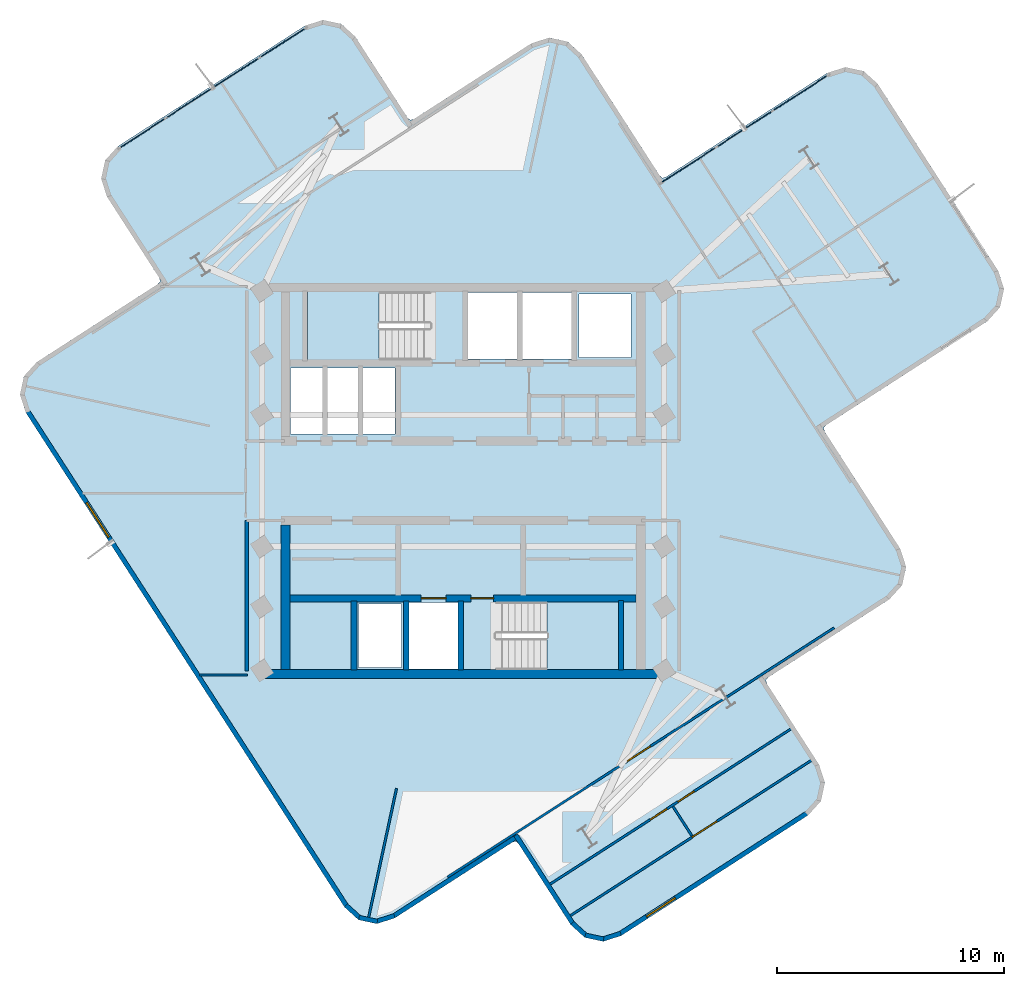
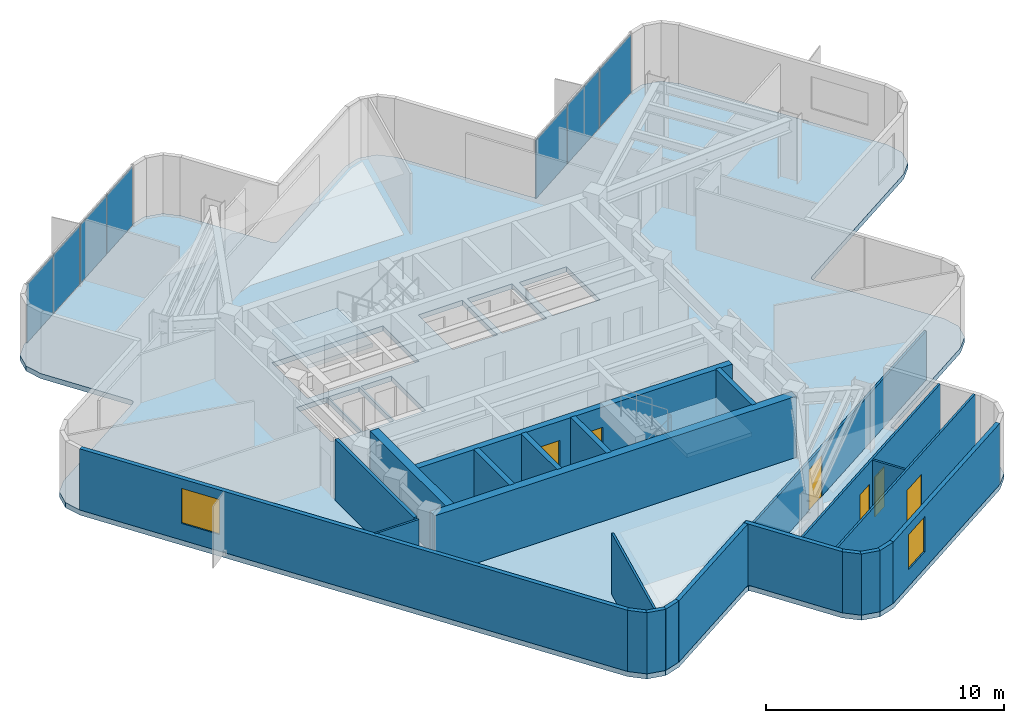
# One storey, part 3 of 8: 24 walls, 7 plates, 6 doors, 3 slabs, 2 windows, 8 openings, 4 elements without a shape of their own.
"""IFC4 building model written with IfcOpenShell, lengths in metres."""

from ifc_helpers import new_model, si_unit, direction, frame, frame_2d, origin, origin_2d, place, context, subcontext, project, spatial, polyline, rectangle, outline, extrude, material, layer, layer_set, type_object, element, fill, aggregate, save


model = new_model("IFC4")

# Units and contexts
model_context = context("Model", 3, precision=1e-05, world=origin(), true_north=direction((0.0, 1.0)))
body_context = subcontext(model_context, "Body", "Model", "MODEL_VIEW")
ifc_project = project(units=[si_unit("LENGTHUNIT", "METRE"), si_unit("AREAUNIT", "SQUARE_METRE"), si_unit("VOLUMEUNIT", "CUBIC_METRE"), si_unit("PLANEANGLEUNIT", "RADIAN"), si_unit("MASSUNIT", "GRAM", prefix="KILO")], contexts=[model_context])

# Site, building, storey
site_placement = place(None, origin())
site = spatial("IfcSite", under=ifc_project, at=site_placement, CompositionType="ELEMENT")
building_placement = place(site_placement, origin())
building = spatial("IfcBuilding", under=site, at=building_placement, Name="Solmarez Civic Tower", CompositionType="ELEMENT")
storey_placement = place(building_placement, frame((0.0, 0.0, 218.8798828125)))
storey = spatial("IfcBuildingStorey", under=building, at=storey_placement, Name="L58", CompositionType="ELEMENT", Elevation=218.8798828125)

# Curtain wall, plates
ifc_material_1 = material(Name="Bronze Anodised Aluminium EN AW-6063 T6", Category="aluminium")
ifc_layer_1 = layer(ifc_material_1, 0.1650390625)
ifc_layer_set_1 = layer_set([ifc_layer_1], Name="Bronze Anodised Aluminium EN AW-6063 T6")
curtain_wall_type = type_object("IfcCurtainWallType", Name="CW-SYS-4", PredefinedType="NOTDEFINED", material=ifc_layer_set_1)
curtain_wall_1_placement = place(storey_placement, origin())
curtain_wall_1 = element("IfcCurtainWall", 1, at=curtain_wall_1_placement, inside=storey, type_object=curtain_wall_type, Name="L58 Stick-Built Curtain Wall 1", PredefinedType="NOTDEFINED")
ifc_material_2 = material(Name="Solar Control Low-E Laminated Vision Glass", Category="glass")
ifc_layer_2 = layer(ifc_material_2, 0.0400390625)
ifc_layer_set_2 = layer_set([ifc_layer_2], Name="Solar Control Low-E Laminated Vision Glass")
plate_type = type_object("IfcPlateType", Name="CWP-GLAZ-40", PredefinedType="CURTAIN_PANEL", material=ifc_layer_set_2)
plate_1_placement = place(storey_placement, frame((-14.105224609375, 15.29833984375, 0.070068359375), z_axis=(0.0, 0.0, 1.0), x_axis=(0.840562795383, 0.541714119272, 0.0)))
plate_1 = element("IfcPlate", 2, at=plate_1_placement, type_object=plate_type, Name="CWS4 panel 1.1", PredefinedType="CURTAIN_PANEL", context=body_context, shape_type="SweptSolid", body=[
    extrude(rectangle(XDim=2.3662109375, YDim=0.0400390625, at=origin_2d()), origin(), (0.0, 0.0, 1.0), 3.0),
])
plate_2_placement = place(storey_placement, frame((-12.05322265625, 16.620849609375, 0.070068359375), z_axis=(0.0, 0.0, 1.0), x_axis=(0.840562795383, 0.541714119272, 0.0)))
plate_2 = element("IfcPlate", 3, at=plate_2_placement, type_object=plate_type, Name="CWS4 panel 2.1", PredefinedType="CURTAIN_PANEL", context=body_context, shape_type="SweptSolid", body=[
    extrude(rectangle(XDim=2.39599609375, YDim=0.0400390625, at=origin_2d()), origin(), (0.0, 0.0, 1.0), 3.0),
])
plate_3_placement = place(storey_placement, frame((-9.98876953125, 17.951171875, 0.070068359375), z_axis=(0.0, 0.0, 1.0), x_axis=(0.840562795383, 0.541714119272, 0.0)))
plate_3 = element("IfcPlate", 4, at=plate_3_placement, type_object=plate_type, Name="CWS4 panel 3.1", PredefinedType="CURTAIN_PANEL", context=body_context, shape_type="SweptSolid", body=[
    extrude(rectangle(XDim=2.39599609375, YDim=0.0400390625, at=origin_2d()), origin(), (0.0, 0.0, 1.0), 3.0),
])
plate_4_placement = place(storey_placement, frame((-7.936767578125, 19.273681640625, 0.070068359375), z_axis=(0.0, 0.0, 1.0), x_axis=(0.840562795383, 0.541714119272, 0.0)))
plate_4 = element("IfcPlate", 5, at=plate_4_placement, type_object=plate_type, Name="CWS4 panel 4.1", PredefinedType="CURTAIN_PANEL", context=body_context, shape_type="SweptSolid", body=[
    extrude(rectangle(XDim=2.3662109375, YDim=0.0400390625, at=origin_2d()), origin(), (0.0, 0.0, 1.0), 3.0),
])
aggregate(curtain_wall_1, [plate_1, plate_2, plate_3, plate_4])

curtain_wall_2_placement = place(storey_placement, origin())
curtain_wall_2 = element("IfcCurtainWall", 6, at=curtain_wall_2_placement, inside=storey, type_object=curtain_wall_type, Name="L58 Stick-Built Curtain Wall 2", PredefinedType="NOTDEFINED")
plate_5_placement = place(storey_placement, frame((9.917236328125, 13.886474609375, 0.070068359375), z_axis=(0.0, 0.0, 1.0), x_axis=(0.840545857406, 0.541740400559, 0.0)))
plate_5 = element("IfcPlate", 7, at=plate_5_placement, type_object=plate_type, Name="CWS4 panel 1.1", PredefinedType="CURTAIN_PANEL", context=body_context, shape_type="SweptSolid", body=[
    extrude(rectangle(XDim=2.857177734375, YDim=0.0400390625, at=origin_2d()), origin(), (0.0, 0.0, 1.0), 3.0),
])
plate_6_placement = place(storey_placement, frame((12.382080078125, 15.47509765625, 0.070068359375), z_axis=(0.0, 0.0, 1.0), x_axis=(0.840545857406, 0.541740400559, 0.0)))
plate_6 = element("IfcPlate", 8, at=plate_6_placement, type_object=plate_type, Name="CWS4 panel 2.1", PredefinedType="CURTAIN_PANEL", context=body_context, shape_type="SweptSolid", body=[
    extrude(rectangle(XDim=2.88720703125, YDim=0.0400390625, at=origin_2d()), origin(), (0.0, 0.0, 1.0), 3.0),
])
plate_7_placement = place(storey_placement, frame((14.8466796875, 17.0634765625, 0.070068359375), z_axis=(0.0, 0.0, 1.0), x_axis=(0.840545857406, 0.541740400559, 0.0)))
plate_7 = element("IfcPlate", 9, at=plate_7_placement, type_object=plate_type, Name="CWS4 panel 3.1", PredefinedType="CURTAIN_PANEL", context=body_context, shape_type="SweptSolid", body=[
    extrude(rectangle(XDim=2.857177734375, YDim=0.0400390625, at=origin_2d()), origin(), (0.0, 0.0, 1.0), 3.0),
])
aggregate(curtain_wall_2, [plate_5, plate_6, plate_7])

# Stair, slab
ifc_material_3 = material(Name="Concrete C50/60", Category="concrete")
stair_type = type_object("IfcStairType", Name="STAIR-DOGLEG-140W-18R-1900", PredefinedType="HALF_TURN_STAIR", material=ifc_material_3)
stair_1_placement = place(storey_placement, origin())
stair_1 = element("IfcStair", 10, at=stair_1_placement, inside=storey, type_object=stair_type, Name="L58 North Core Protected Exit Stair ST-1", PredefinedType="HALF_TURN_STAIR")
ifc_layer_3 = layer(ifc_material_3, 0.199951171875)
ifc_layer_set_3 = layer_set([ifc_layer_3], Name="Concrete C50/60")
slab_type_1 = type_object("IfcSlabType", Name="SLAB-LANDING-200", PredefinedType="LANDING", material=ifc_layer_set_3)
slab_1_placement = place(storey_placement, frame((0.0, 0.0, 1.510009765625)))
slab_1 = element("IfcSlab", 11, at=slab_1_placement, type_object=slab_type_1, Name="ST-1 landing 1", PredefinedType="LANDING", context=body_context, shape_type="SweptSolid", body=[
    extrude(outline(polyline([(-3.68994140625, 8.320068359375), (-6.85009765625, 8.320068359375), (-6.85009765625, 5.320068359375), (-3.68994140625, 5.320068359375), (-3.68994140625, 8.320068359375)])), origin(), (0.0, 0.0, 1.0), 0.2001953125),
])
aggregate(stair_1, [slab_1])

stair_2_placement = place(storey_placement, origin())
stair_2 = element("IfcStair", 12, at=stair_2_placement, inside=storey, type_object=stair_type, Name="L58 South Core Protected Exit Stair ST-2", PredefinedType="HALF_TURN_STAIR")
slab_2_placement = place(storey_placement, frame((0.0, 0.0, 1.510009765625)))
slab_2 = element("IfcSlab", 13, at=slab_2_placement, type_object=slab_type_1, Name="ST-2 landing 1", PredefinedType="LANDING", context=body_context, shape_type="SweptSolid", body=[
    extrude(outline(polyline([(3.68994140625, -8.320068359375), (6.85009765625, -8.320068359375), (6.85009765625, -5.320068359375), (3.68994140625, -5.320068359375), (3.68994140625, -8.320068359375)])), origin(), (0.0, 0.0, 1.0), 0.2001953125),
])
aggregate(stair_2, [slab_2])

# Slab
ifc_layer_4 = layer(ifc_material_3, 0.260009765625)
ifc_layer_set_4 = layer_set([ifc_layer_4], Name="Concrete C50/60")
slab_type_2 = type_object("IfcSlabType", Name="SLAB-TOWER-260", PredefinedType="FLOOR", material=ifc_layer_set_4)
slab_3_placement = place(storey_placement, frame((0.0, 0.0, -0.259765625)))
element("IfcSlab", 14, at=slab_3_placement, inside=storey, type_object=slab_type_2, Name="L58 Structural Slab", PredefinedType="FLOOR", context=body_context, shape_type="SweptSolid", body=[
    extrude(outline(polyline([(2.447998046875, -15.98291015625), (4.7451171875, -19.5458984375), (5.35791015625, -20.10205078125), (6.16796875, -20.277099609375), (6.9560546875, -20.02392578125), (15.194091796875, -14.715087890625), (15.75, -14.10205078125), (15.925048828125, -13.2919921875), (15.672119140625, -12.50390625), (13.3759765625, -8.93994140625), (13.322998046875, -8.777099609375), (13.43896484375, -8.64892578125), (18.76708984375, -5.215087890625), (19.323974609375, -4.60205078125), (19.4990234375, -3.7919921875), (19.2451171875, -3.0029296875), (15.919921875, 2.156982421875), (15.866943359375, 2.321044921875), (15.98291015625, 2.447998046875), (23.075927734375, 7.02001953125), (23.633056640625, 7.633056640625), (23.80810546875, 8.443115234375), (23.554931640625, 9.23193359375), (18.24609375, 17.468994140625), (17.632080078125, 18.02490234375), (16.822998046875, 18.199951171875), (16.033935546875, 17.947021484375), (8.93994140625, 13.3759765625), (8.777099609375, 13.322998046875), (8.64892578125, 13.43896484375), (5.215087890625, 18.76708984375), (4.60205078125, 19.323974609375), (3.7919921875, 19.4990234375), (3.0029296875, 19.2451171875), (-2.156982421875, 15.919921875), (-2.321044921875, 15.866943359375), (-2.447998046875, 15.98291015625), (-4.7451171875, 19.5458984375), (-5.35791015625, 20.10205078125), (-6.16796875, 20.277099609375), (-6.9560546875, 20.02392578125), (-15.194091796875, 14.715087890625), (-15.75, 14.10205078125), (-15.925048828125, 13.2919921875), (-15.672119140625, 12.50390625), (-13.3759765625, 8.93994140625), (-13.322998046875, 8.777099609375), (-13.43896484375, 8.64892578125), (-18.76708984375, 5.215087890625), (-19.323974609375, 4.60205078125), (-19.4990234375, 3.7919921875), (-19.2451171875, 3.0029296875), (-5.215087890625, -18.76708984375), (-4.60205078125, -19.323974609375), (-3.7919921875, -19.4990234375), (-3.0029296875, -19.2451171875), (2.156982421875, -15.919921875), (2.321044921875, -15.866943359375), (2.447998046875, -15.98291015625)]), holes=[polyline([(-1.449951171875, 8.320068359375), (-6.85009765625, 8.320068359375), (-6.85009765625, 5.320068359375), (-1.449951171875, 5.320068359375), (-1.449951171875, 8.320068359375)]), polyline([(1.449951171875, -8.320068359375), (6.85009765625, -8.320068359375), (6.85009765625, -5.320068359375), (1.449951171875, -5.320068359375), (1.449951171875, -8.320068359375)]), polyline([(0.219970703125, 5.360107421875), (2.3798828125, 5.360107421875), (2.3798828125, 8.280029296875), (0.219970703125, 8.280029296875), (0.219970703125, 5.360107421875)]), polyline([(2.6201171875, 5.360107421875), (4.780029296875, 5.360107421875), (4.780029296875, 8.280029296875), (2.6201171875, 8.280029296875), (2.6201171875, 5.360107421875)]), polyline([(-2.3798828125, -8.280029296875), (-0.219970703125, -8.280029296875), (-0.219970703125, -5.360107421875), (-2.3798828125, -5.360107421875), (-2.3798828125, -8.280029296875)]), polyline([(-7.60009765625, 2.06005859375), (-6.1201171875, 2.06005859375), (-6.1201171875, 4.9599609375), (-7.60009765625, 4.9599609375), (-7.60009765625, 2.06005859375)]), polyline([(-6.0400390625, 2.06005859375), (-4.56005859375, 2.06005859375), (-4.56005859375, 4.9599609375), (-6.0400390625, 4.9599609375), (-6.0400390625, 2.06005859375)]), polyline([(-4.47998046875, 2.06005859375), (-3.0, 2.06005859375), (-3.0, 4.9599609375), (-4.47998046875, 4.9599609375), (-4.47998046875, 2.06005859375)]), polyline([(5.10009765625, 5.419921875), (7.39990234375, 5.419921875), (7.39990234375, 8.219970703125), (5.10009765625, 8.219970703125), (5.10009765625, 5.419921875)]), polyline([(-4.60009765625, -8.219970703125), (-2.699951171875, -8.219970703125), (-2.699951171875, -5.419921875), (-4.60009765625, -5.419921875), (-4.60009765625, -8.219970703125)])]), origin(), (0.0, 0.0, 1.0), 0.259765625),
])

# Walls
ifc_layer_5 = layer(ifc_material_3, 0.39990234375)
ifc_layer_set_5 = layer_set([ifc_layer_5], Name="Concrete C50/60")
wall_type_1 = type_object("IfcWallType", Name="WALL-CORE-400", PredefinedType="SHEAR", material=ifc_layer_set_5)
wall_1_placement = place(storey_placement, frame((8.780029296875, -8.510009765625, 0.0), z_axis=(0.0, 0.0, 1.0), x_axis=(-1.0, 0.0, 0.0)))
element("IfcWall", 15, at=wall_1_placement, inside=storey, type_object=wall_type_1, Name="L58 Split-Core Structural Wall SCW-S-L58", PredefinedType="SHEAR", context=body_context, shape_type="SweptSolid", body=[
    extrude(rectangle(XDim=17.56005859375, YDim=0.39990234375, at=frame_2d((8.780029296875, 0.0))), origin(), (0.0, 0.0, 1.0), 3.14013671875),
])
wall_2_placement = place(storey_placement, frame((-7.820068359375, -8.31005859375, 0.0), z_axis=(0.0, 0.0, 1.0), x_axis=(0.0, 1.0, 0.0)))
element("IfcWall", 16, at=wall_2_placement, inside=storey, type_object=wall_type_1, Name="L58 Split-Core Structural Wall SCW-W-L58", PredefinedType="SHEAR", context=body_context, shape_type="SweptSolid", body=[
    extrude(rectangle(XDim=6.360107421875, YDim=0.39990234375, at=frame_2d((3.18017578125, 0.0))), origin(), (0.0, 0.0, 1.0), 3.14013671875),
])
ifc_material_4 = material(Name="Precast concrete C40/50", Category="concrete")
ifc_layer_6 = layer(ifc_material_4, 0.199951171875)
ifc_layer_set_6 = layer_set([ifc_layer_6], Name="Precast concrete C40/50")
wall_type_2 = type_object("IfcWallType", Name="WALL-EXT-200", PredefinedType="SOLIDWALL", material=ifc_layer_set_6)
wall_3_placement = place(storey_placement, frame((2.430908203125, -15.6240234375, 0.0), z_axis=(0.0, 0.0, 1.0), x_axis=(-0.840561972283, -0.541715396451, 0.0)))
element("IfcWall", 17, at=wall_3_placement, inside=storey, type_object=wall_type_2, Name="L58 Exterior Precast Wall 2", PredefinedType="SOLIDWALL", context=body_context, shape_type="SweptSolid", body=[
    extrude(rectangle(XDim=6.5419921875, YDim=0.199951171875, at=frame_2d((3.27099609375, 0.0))), origin(), (0.0, 0.0, 1.0), 3.14013671875),
])
wall_4_placement = place(storey_placement, frame((-3.02294921875, -19.14599609375, 0.0), z_axis=(0.0, 0.0, 1.0), x_axis=(-0.951837516142, -0.306602907463, 0.0)))
element("IfcWall", 18, at=wall_4_placement, inside=storey, type_object=wall_type_2, Name="L58 Exterior Precast Wall 3", PredefinedType="SOLIDWALL", context=body_context, shape_type="SweptSolid", body=[
    extrude(rectangle(XDim=0.83837890625, YDim=0.199951171875, at=frame_2d((0.419189453125, 0.0))), origin(), (0.0, 0.0, 1.0), 3.14013671875),
])
wall_5_placement = place(storey_placement, frame((-3.77294921875, -19.39990234375, 0.0), z_axis=(0.0, 0.0, 1.0), x_axis=(-0.977467098281, 0.211087829535, 0.0)))
element("IfcWall", 19, at=wall_5_placement, inside=storey, type_object=wall_type_2, Name="L58 Exterior Precast Wall 4", PredefinedType="SOLIDWALL", context=body_context, shape_type="SweptSolid", body=[
    extrude(rectangle(XDim=0.823486328125, YDim=0.199951171875, at=frame_2d((0.41162109375, 0.0))), origin(), (0.0, 0.0, 1.0), 3.14013671875),
])
wall_6_placement = place(storey_placement, frame((-4.534912109375, -19.248046875, 0.0), z_axis=(0.0, 0.0, 1.0), x_axis=(-0.741439258983, 0.671019988703, 0.0)))
element("IfcWall", 20, at=wall_6_placement, inside=storey, type_object=wall_type_2, Name="L58 Exterior Precast Wall 5", PredefinedType="SOLIDWALL", context=body_context, shape_type="SweptSolid", body=[
    extrude(rectangle(XDim=0.839111328125, YDim=0.199951171875, at=frame_2d((0.41943359375, 0.0))), origin(), (0.0, 0.0, 1.0), 3.14013671875),
])

# Wall, opening, window
wall_7_placement = place(storey_placement, frame((-5.1240234375, -18.722900390625, 0.0), z_axis=(0.0, 0.0, 1.0), x_axis=(-0.541724400477, 0.840556169407, 0.0)))
wall_7 = element("IfcWall", 21, at=wall_7_placement, inside=storey, type_object=wall_type_2, Name="L58 Exterior Precast Wall 6", PredefinedType="SOLIDWALL", context=body_context, shape_type="SweptSolid", body=[
    extrude(rectangle(XDim=25.924560546875, YDim=0.199951171875, at=frame_2d((12.96240234375, 0.0))), origin(), (0.0, 0.0, 1.0), 3.14013671875),
])
opening_1_placement = place(wall_7_placement, frame((19.321044921875, 0.0, 0.85009765625)))
opening_1 = element("IfcOpeningElement", 22, at=opening_1_placement, cuts=wall_7, Name="Opening W-08", PredefinedType="OPENING", context=body_context, shape_type="SweptSolid", body=[
    extrude(rectangle(XDim=1.800048828125, YDim=1.800048828125, at=frame_2d((0.89990234375, 0.89990234375))), frame((0.0, 0.10986328125, 0.0), z_axis=(0.0, -1.0, 0.0), x_axis=(1.0, 0.0, 0.0)), (0.0, 0.0, 1.0), 0.219970703125),
])
ifc_material_5 = material(Name="Solar Control Bronze-Tinted Insulating Glass", Category="glass")
window_type_1 = type_object("IfcWindowType", Name="WIN-1800X1800", PartitioningType="SINGLE_PANEL", PredefinedType="WINDOW", material=ifc_material_5)
window_1_placement = place(opening_1_placement, origin())
window_1 = element("IfcWindow", 23, at=window_1_placement, inside=storey, type_object=window_type_1, Name="L58 Exterior Facade Window 6", OverallHeight=1.800048828125, OverallWidth=1.800048828125, PartitioningType="SINGLE_PANEL", PredefinedType="WINDOW", context=body_context, shape_type="SweptSolid", body=[
    extrude(rectangle(XDim=1.800048828125, YDim=1.800048828125, at=frame_2d((0.89990234375, 0.89990234375))), frame((0.0, 0.030029296875, 0.0), z_axis=(0.0, -1.0, 0.0), x_axis=(1.0, 0.0, 0.0)), (0.0, 0.0, 1.0), 0.06005859375),
])
fill(opening_1, window_1)

wall_8_placement = place(storey_placement, frame((15.14990234375, -14.625, 0.0), z_axis=(0.0, 0.0, 1.0), x_axis=(-0.84055619882, -0.541724354839, 0.0)))
wall_8 = element("IfcWall", 24, at=wall_8_placement, inside=storey, type_object=wall_type_2, Name="L58 Exterior Precast Wall 53", PredefinedType="SOLIDWALL", context=body_context, shape_type="SweptSolid", body=[
    extrude(rectangle(XDim=9.82421875, YDim=0.199951171875, at=frame_2d((4.912109375, 0.0))), origin(), (0.0, 0.0, 1.0), 3.14013671875),
])
opening_2_placement = place(wall_8_placement, frame((6.9130859375, 0.0, 0.85009765625)))
opening_2 = element("IfcOpeningElement", 25, at=opening_2_placement, cuts=wall_8, Name="Opening W-13", PredefinedType="OPENING", context=body_context, shape_type="SweptSolid", body=[
    extrude(rectangle(XDim=1.5, YDim=1.800048828125, at=frame_2d((0.75, 0.89990234375))), frame((0.0, 0.10986328125, 0.0), z_axis=(0.0, -1.0, 0.0), x_axis=(1.0, 0.0, 0.0)), (0.0, 0.0, 1.0), 0.219970703125),
])
window_type_2 = type_object("IfcWindowType", Name="WIN-1500X1800", PartitioningType="SINGLE_PANEL", PredefinedType="WINDOW", material=ifc_material_5)
window_2_placement = place(opening_2_placement, origin())
window_2 = element("IfcWindow", 26, at=window_2_placement, inside=storey, type_object=window_type_2, Name="L58 Exterior Facade Window 53", OverallHeight=1.800048828125, OverallWidth=1.5, PartitioningType="SINGLE_PANEL", PredefinedType="WINDOW", context=body_context, shape_type="SweptSolid", body=[
    extrude(rectangle(XDim=1.5, YDim=1.800048828125, at=frame_2d((0.75, 0.89990234375))), frame((0.0, 0.030029296875, 0.0), z_axis=(0.0, -1.0, 0.0), x_axis=(1.0, 0.0, 0.0)), (0.0, 0.0, 1.0), 0.06005859375),
])
fill(opening_2, window_2)

# Walls
wall_9_placement = place(storey_placement, frame((6.93701171875, -19.925048828125, 0.0), z_axis=(0.0, 0.0, 1.0), x_axis=(-0.951922461344, -0.306339072907, 0.0)))
element("IfcWall", 27, at=wall_9_placement, inside=storey, type_object=wall_type_2, Name="L58 Exterior Precast Wall 54", PredefinedType="SOLIDWALL", context=body_context, shape_type="SweptSolid", body=[
    extrude(rectangle(XDim=0.83837890625, YDim=0.199951171875, at=frame_2d((0.419189453125, 0.0))), origin(), (0.0, 0.0, 1.0), 3.14013671875),
])
wall_10_placement = place(storey_placement, frame((6.18701171875, -20.178955078125, 0.0), z_axis=(0.0, 0.0, 1.0), x_axis=(-0.977405889656, 0.211371064399, 0.0)))
element("IfcWall", 28, at=wall_10_placement, inside=storey, type_object=wall_type_2, Name="L58 Exterior Precast Wall 55", PredefinedType="SOLIDWALL", context=body_context, shape_type="SweptSolid", body=[
    extrude(rectangle(XDim=0.823486328125, YDim=0.199951171875, at=frame_2d((0.41162109375, 0.0))), origin(), (0.0, 0.0, 1.0), 3.14013671875),
])
wall_11_placement = place(storey_placement, frame((5.425048828125, -20.027099609375, 0.0), z_axis=(0.0, 0.0, 1.0), x_axis=(-0.741439258983, 0.671019988703, 0.0)))
element("IfcWall", 29, at=wall_11_placement, inside=storey, type_object=wall_type_2, Name="L58 Exterior Precast Wall 56", PredefinedType="SOLIDWALL", context=body_context, shape_type="SweptSolid", body=[
    extrude(rectangle(XDim=0.839111328125, YDim=0.199951171875, at=frame_2d((0.41943359375, 0.0))), origin(), (0.0, 0.0, 1.0), 3.14013671875),
])
wall_12_placement = place(storey_placement, frame((4.8359375, -19.501953125, 0.0), z_axis=(0.0, 0.0, 1.0), x_axis=(-0.541756659411, 0.840535378187, 0.0)))
element("IfcWall", 30, at=wall_12_placement, inside=storey, type_object=wall_type_2, Name="L58 Exterior Precast Wall 57", PredefinedType="SOLIDWALL", context=body_context, shape_type="SweptSolid", body=[
    extrude(rectangle(XDim=4.64208984375, YDim=0.199951171875, at=frame_2d((2.321044921875, 0.0))), origin(), (0.0, 0.0, 1.0), 3.14013671875),
])
ifc_material_6 = material(Name="Gypsum Board Acoustic Steel-Stud Partition", Category="steel")
ifc_layer_7 = layer(ifc_material_6, 0.14990234375)
ifc_layer_set_7 = layer_set([ifc_layer_7], Name="Gypsum Board Acoustic Steel-Stud Partition")
wall_type_3 = type_object("IfcWallType", Name="WALL-INT-FIRE-150", PredefinedType="PARTITIONING", material=ifc_layer_set_7)
wall_13_placement = place(storey_placement, frame((-9.52001953125, -8.3798828125, 0.0), z_axis=(0.0, 0.0, 1.0), x_axis=(0.0, 1.0, 0.0)))
element("IfcWall", 31, at=wall_13_placement, inside=storey, type_object=wall_type_3, Name="L58 Interior Partition CHW-L58-WS1", PredefinedType="PARTITIONING", context=body_context, shape_type="SweptSolid", body=[
    extrude(rectangle(XDim=6.6298828125, YDim=0.14990234375, at=frame_2d((3.31494140625, 0.0))), origin(), (0.0, 0.0, 1.0), 3.14013671875),
])
ifc_layer_8 = layer(ifc_material_6, 0.10009765625)
ifc_layer_set_8 = layer_set([ifc_layer_8], Name="Gypsum Board Acoustic Steel-Stud Partition")
wall_type_4 = type_object("IfcWallType", Name="WALL-INT-PART-100", PredefinedType="PARTITIONING", material=ifc_layer_set_8)
wall_14_placement = place(storey_placement, frame((-11.60302734375, -8.550048828125, 0.0), z_axis=(0.0, 0.0, 1.0), x_axis=(1.0, 0.0, 0.0)))
element("IfcWall", 32, at=wall_14_placement, inside=storey, type_object=wall_type_4, Name="L58 Interior Partition PT-L58-WH-BS", PredefinedType="PARTITIONING", context=body_context, shape_type="SweptSolid", body=[
    extrude(rectangle(XDim=2.123046875, YDim=0.10009765625, at=frame_2d((1.0615234375, 0.0))), origin(), (0.0, 0.0, 1.0), 3.14013671875),
])
wall_15_placement = place(storey_placement, frame((-2.927001953125, -13.5400390625, 0.0), z_axis=(0.0, 0.0, 1.0), x_axis=(-0.21141803497, -0.977395730751, 0.0)))
element("IfcWall", 33, at=wall_15_placement, inside=storey, type_object=wall_type_4, Name="L58 Interior Partition PT-L58-QDIV-3", PredefinedType="PARTITIONING", context=body_context, shape_type="SweptSolid", body=[
    extrude(rectangle(XDim=5.842041015625, YDim=0.10009765625, at=frame_2d((2.9208984375, 0.0))), origin(), (0.0, 0.0, 1.0), 3.14013671875),
])

# Wall, opening, door
wall_16_placement = place(storey_placement, frame((16.3310546875, -6.47607421875, 0.0), z_axis=(0.0, 0.0, 1.0), x_axis=(-0.840579457381, -0.541688264437, 0.0)))
wall_16 = element("IfcWall", 34, at=wall_16_placement, inside=storey, type_object=wall_type_4, Name="L58 Interior Partition PT-L58-S-ENT", PredefinedType="PARTITIONING", context=body_context, shape_type="SweptSolid", body=[
    extrude(rectangle(XDim=20.23828125, YDim=0.10009765625, at=frame_2d((10.119140625, 0.0))), origin(), (0.0, 0.0, 1.0), 2.510009765625),
])
opening_3_placement = place(wall_16_placement, frame((9.618896484375, 0.0, 0.0)))
opening_3 = element("IfcOpeningElement", 35, at=opening_3_placement, cuts=wall_16, Name="Opening D-11", PredefinedType="OPENING", context=body_context, shape_type="SweptSolid", body=[
    extrude(rectangle(XDim=1.199951171875, YDim=2.10009765625, at=frame_2d((0.60009765625, 1.050048828125))), frame((0.0, 0.06005859375, 0.0), z_axis=(0.0, -1.0, 0.0), x_axis=(1.0, 0.0, 0.0)), (0.0, 0.0, 1.0), 0.1201171875),
])
ifc_material_7 = material(Name="Glazed-Vision Acoustic Chamber Door", Category="wood")
door_type_1 = type_object("IfcDoorType", Name="DOOR-INT-1200", OperationType="NOTDEFINED", PredefinedType="DOOR", material=ifc_material_7)
door_1_placement = place(opening_3_placement, origin())
door_1 = element("IfcDoor", 36, at=door_1_placement, inside=storey, type_object=door_type_1, Name="L58 Public Reception Room First South Door", OperationType="SINGLE_SWING_LEFT", OverallHeight=2.10009765625, OverallWidth=1.199951171875, PredefinedType="DOOR", context=body_context, shape_type="SweptSolid", body=[
    extrude(rectangle(XDim=1.199951171875, YDim=2.10009765625, at=frame_2d((0.60009765625, 1.050048828125))), frame((0.0, 0.02490234375, 0.0), z_axis=(0.0, -1.0, 0.0), x_axis=(1.0, 0.0, 0.0)), (0.0, 0.0, 1.0), 0.050048828125),
])
fill(opening_3, door_1)

# Wall
wall_17_placement = place(storey_placement, frame((9.241943359375, -14.340087890625, 0.0), z_axis=(0.0, 0.0, 1.0), x_axis=(0.541443159102, -0.840737358193, 0.0)))
element("IfcWall", 37, at=wall_17_placement, inside=storey, type_object=wall_type_4, Name="L58 Interior Partition PT-L58-S-MM", PredefinedType="PARTITIONING", context=body_context, shape_type="SweptSolid", body=[
    extrude(rectangle(XDim=1.529541015625, YDim=0.10009765625, at=frame_2d((0.7646484375, 0.0))), origin(), (0.0, 0.0, 1.0), 3.14013671875),
])

# Wall, openings, doors
wall_18_placement = place(storey_placement, frame((3.800048828125, -17.77490234375, 0.0), z_axis=(0.0, 0.0, 1.0), x_axis=(0.840588193286, 0.54167470802, 0.0)))
wall_18 = element("IfcWall", 38, at=wall_18_placement, inside=storey, type_object=wall_type_4, Name="L58 Interior Partition PT-L58-S-S1", PredefinedType="PARTITIONING", context=body_context, shape_type="SweptSolid", body=[
    extrude(rectangle(XDim=12.669677734375, YDim=0.10009765625, at=frame_2d((6.3349609375, 0.0))), origin(), (0.0, 0.0, 1.0), 3.14013671875),
])
opening_4_placement = place(wall_18_placement, frame((5.284912109375, 0.0, 0.0)))
opening_4 = element("IfcOpeningElement", 39, at=opening_4_placement, cuts=wall_18, Name="Opening D-14", PredefinedType="OPENING", context=body_context, shape_type="SweptSolid", body=[
    extrude(rectangle(XDim=0.860107421875, YDim=2.0400390625, at=frame_2d((0.43017578125, 1.02001953125))), frame((0.0, 0.06005859375, 0.0), z_axis=(0.0, -1.0, 0.0), x_axis=(1.0, 0.0, 0.0)), (0.0, 0.0, 1.0), 0.1201171875),
])
opening_5_placement = place(wall_18_placement, frame((6.72509765625, 0.0, 0.0)))
opening_5 = element("IfcOpeningElement", 40, at=opening_5_placement, cuts=wall_18, Name="Opening D-14", PredefinedType="OPENING", context=body_context, shape_type="SweptSolid", body=[
    extrude(rectangle(XDim=0.860107421875, YDim=2.0400390625, at=frame_2d((0.43017578125, 1.02001953125))), frame((0.0, 0.06005859375, 0.0), z_axis=(0.0, -1.0, 0.0), x_axis=(1.0, 0.0, 0.0)), (0.0, 0.0, 1.0), 0.1201171875),
])
ifc_material_8 = material(Name="Timber Storage and Pantry Door", Category="wood")
door_type_2 = type_object("IfcDoorType", Name="DOOR-INT-850", OperationType="NOTDEFINED", PredefinedType="DOOR", material=ifc_material_8)
door_2_placement = place(opening_4_placement, origin())
door_2 = element("IfcDoor", 41, at=door_2_placement, inside=storey, type_object=door_type_2, Name="L58 Civic Training Classroom Third South Door", OperationType="SINGLE_SWING_RIGHT", OverallHeight=2.0400390625, OverallWidth=0.860107421875, PredefinedType="DOOR", context=body_context, shape_type="SweptSolid", body=[
    extrude(rectangle(XDim=0.860107421875, YDim=2.0400390625, at=frame_2d((0.43017578125, 1.02001953125))), frame((0.0, 0.02490234375, 0.0), z_axis=(0.0, -1.0, 0.0), x_axis=(1.0, 0.0, 0.0)), (0.0, 0.0, 1.0), 0.050048828125),
])
fill(opening_4, door_2)
door_3_placement = place(opening_5_placement, origin())
door_3 = element("IfcDoor", 42, at=door_3_placement, inside=storey, type_object=door_type_2, Name="L58 Legislative Seminar Room Second South Door", OperationType="SINGLE_SWING_LEFT", OverallHeight=2.0400390625, OverallWidth=0.860107421875, PredefinedType="DOOR", context=body_context, shape_type="SweptSolid", body=[
    extrude(rectangle(XDim=0.860107421875, YDim=2.0400390625, at=frame_2d((0.43017578125, 1.02001953125))), frame((0.0, 0.02490234375, 0.0), z_axis=(0.0, -1.0, 0.0), x_axis=(1.0, 0.0, 0.0)), (0.0, 0.0, 1.0), 0.050048828125),
])
fill(opening_5, door_3)

# Wall, opening, door
wall_19_placement = place(storey_placement, frame((15.343994140625, -12.299072265625, 0.0), z_axis=(0.0, 0.0, 1.0), x_axis=(-0.840579419228, -0.541688323642, 0.0)))
wall_19 = element("IfcWall", 43, at=wall_19_placement, inside=storey, type_object=wall_type_4, Name="L58 Interior Partition PT-L58-S-S2", PredefinedType="PARTITIONING", context=body_context, shape_type="SweptSolid", body=[
    extrude(rectangle(XDim=12.669677734375, YDim=0.10009765625, at=frame_2d((6.3349609375, 0.0))), origin(), (0.0, 0.0, 1.0), 3.14013671875),
])
opening_6_placement = place(wall_19_placement, frame((4.9599609375, 0.0, 0.0)))
opening_6 = element("IfcOpeningElement", 44, at=opening_6_placement, cuts=wall_19, Name="Opening D-15", PredefinedType="OPENING", context=body_context, shape_type="SweptSolid", body=[
    extrude(rectangle(XDim=1.300048828125, YDim=2.10009765625, at=frame_2d((0.64990234375, 1.050048828125))), frame((0.0, 0.06005859375, 0.0), z_axis=(0.0, -1.0, 0.0), x_axis=(1.0, 0.0, 0.0)), (0.0, 0.0, 1.0), 0.1201171875),
])
ifc_material_9 = material(Name="Tribunal Hearing Conference Door", Category="wood")
door_type_3 = type_object("IfcDoorType", Name="DOOR-INT-1300", OperationType="NOTDEFINED", PredefinedType="DOOR", material=ifc_material_9)
door_4_placement = place(opening_6_placement, origin())
door_4 = element("IfcDoor", 45, at=door_4_placement, inside=storey, type_object=door_type_3, Name="L58 Delegates Sitting Lounge Fourth South Door", OperationType="SINGLE_SWING_LEFT", OverallHeight=2.10009765625, OverallWidth=1.300048828125, PredefinedType="DOOR", context=body_context, shape_type="SweptSolid", body=[
    extrude(rectangle(XDim=1.300048828125, YDim=2.10009765625, at=frame_2d((0.64990234375, 1.050048828125))), frame((0.0, 0.02490234375, 0.0), z_axis=(0.0, -1.0, 0.0), x_axis=(1.0, 0.0, 0.0)), (0.0, 0.0, 1.0), 0.050048828125),
])
fill(opening_6, door_4)

# Wall, openings, doors
ifc_layer_9 = layer(ifc_material_3, 0.300048828125)
ifc_layer_set_9 = layer_set([ifc_layer_9], Name="Concrete C50/60")
wall_type_5 = type_object("IfcWallType", Name="WALL-STR-300", PredefinedType="SOLIDWALL", material=ifc_layer_set_9)
wall_20_placement = place(storey_placement, frame((-7.6201171875, -5.179931640625, 0.0), z_axis=(0.0, 0.0, 1.0), x_axis=(1.0, 0.0, 0.0)))
wall_20 = element("IfcWall", 46, at=wall_20_placement, inside=storey, type_object=wall_type_5, Name="L58 Split-Core Structural Wall SCW-M-L58", PredefinedType="SOLIDWALL", context=body_context, shape_type="SweptSolid", body=[
    extrude(rectangle(XDim=15.240234375, YDim=0.300048828125, at=frame_2d((7.6201171875, 0.0))), origin(), (0.0, 0.0, 1.0), 3.14013671875),
])
opening_7_placement = place(wall_20_placement, frame((5.77001953125, 0.0, 0.0)))
opening_7 = element("IfcOpeningElement", 47, at=opening_7_placement, cuts=wall_20, Name="Opening LD-02", PredefinedType="OPENING", context=body_context, shape_type="SweptSolid", body=[
    extrude(rectangle(XDim=1.10009765625, YDim=2.14990234375, at=frame_2d((0.550048828125, 1.074951171875))), frame((0.0, 0.159912109375, 0.0), z_axis=(0.0, -1.0, 0.0), x_axis=(1.0, 0.0, 0.0)), (0.0, 0.0, 1.0), 0.320068359375),
])
opening_8_placement = place(wall_20_placement, frame((7.969970703125, 0.0, 0.0)))
opening_8 = element("IfcOpeningElement", 48, at=opening_8_placement, cuts=wall_20, Name="Opening D-05", PredefinedType="OPENING", context=body_context, shape_type="SweptSolid", body=[
    extrude(rectangle(XDim=1.0, YDim=2.10009765625, at=frame_2d((0.5, 1.050048828125))), frame((0.0, 0.159912109375, 0.0), z_axis=(0.0, -1.0, 0.0), x_axis=(1.0, 0.0, 0.0)), (0.0, 0.0, 1.0), 0.320068359375),
])
ifc_material_10 = material(Name="Fire-Rated Stairwell Exit Door", Category="wood")
door_type_4 = type_object("IfcDoorType", Name="DOOR-FD90-1000", OperationType="NOTDEFINED", PredefinedType="DOOR", material=ifc_material_10)
door_5_placement = place(opening_8_placement, origin())
door_5 = element("IfcDoor", 49, at=door_5_placement, inside=storey, type_object=door_type_4, Name="L58 South Exit Stair Door ST-2", OperationType="SINGLE_SWING_RIGHT", OverallHeight=2.10009765625, OverallWidth=1.0, PredefinedType="DOOR", context=body_context, shape_type="SweptSolid", body=[
    extrude(rectangle(XDim=1.0, YDim=2.10009765625, at=frame_2d((0.5, 1.050048828125))), frame((0.0, 0.02490234375, 0.0), z_axis=(0.0, -1.0, 0.0), x_axis=(1.0, 0.0, 0.0)), (0.0, 0.0, 1.0), 0.050048828125),
])
fill(opening_8, door_5)
ifc_material_11 = material(Name="Stainless Firefighting Lift Landing Sliding Door", Category="aluminium")
door_type_5 = type_object("IfcDoorType", Name="DOOR-LD-FF-1100", OperationType="DOUBLE_DOOR_SLIDING", PredefinedType="DOOR", material=ifc_material_11)
door_6_placement = place(opening_7_placement, origin())
door_6 = element("IfcDoor", 50, at=door_6_placement, inside=storey, type_object=door_type_5, Name="L58 Firefighting Lift Landing Door FFL-2", OperationType="DOUBLE_DOOR_SLIDING", OverallHeight=2.14990234375, OverallWidth=1.10009765625, PredefinedType="DOOR", context=body_context, shape_type="SweptSolid", body=[
    extrude(rectangle(XDim=1.10009765625, YDim=2.14990234375, at=frame_2d((0.550048828125, 1.074951171875))), frame((0.0, 0.02490234375, 0.0), z_axis=(0.0, -1.0, 0.0), x_axis=(1.0, 0.0, 0.0)), (0.0, 0.0, 1.0), 0.050048828125),
])
fill(opening_7, door_6)

# Walls
wall_21_placement = place(storey_placement, frame((6.949951171875, -8.340087890625, 0.0), z_axis=(0.0, 0.0, 1.0), x_axis=(0.0, 1.0, 0.0)))
element("IfcWall", 51, at=wall_21_placement, inside=storey, type_object=wall_type_5, Name="L58 Split-Core Structural Wall SHW-SE-L58", PredefinedType="SOLIDWALL", context=body_context, shape_type="SweptSolid", body=[
    extrude(rectangle(XDim=3.06005859375, YDim=0.219970703125, at=frame_2d((1.530029296875, 0.0))), origin(), (0.0, 0.0, 1.0), 3.14013671875),
])
for number, where, z_axis, x_axis, name in (
    (52, (-0.10009765625, -8.340087890625, 0.0), (0.0, 0.0, 1.0), (0.0, 1.0, 0.0), "L58 Split-Core Structural Wall SHW-S1-L58"),
    (53, (-2.5, -8.340087890625, 0.0), (0.0, 0.0, 1.0), (0.0, 1.0, 0.0), "L58 Split-Core Structural Wall SHW-S2-L58"),
    (54, (-4.800048828125, -8.340087890625, 0.0), (0.0, 0.0, 1.0), (0.0, 1.0, 0.0), "L58 Split-Core Structural Wall SHW-S3-L58"),
):
    element("IfcWall", number, at=place(storey_placement, frame(where, z_axis=z_axis, x_axis=x_axis)), inside=storey, type_object=wall_type_5, Name=name, PredefinedType="SOLIDWALL", context=body_context, shape_type="SweptSolid", body=[
        extrude(rectangle(XDim=3.0400390625, YDim=0.25, at=frame_2d((1.52001953125, 0.0))), origin(), (0.0, 0.0, 1.0), 3.14013671875),
    ])

save(model, "model.ifc")
